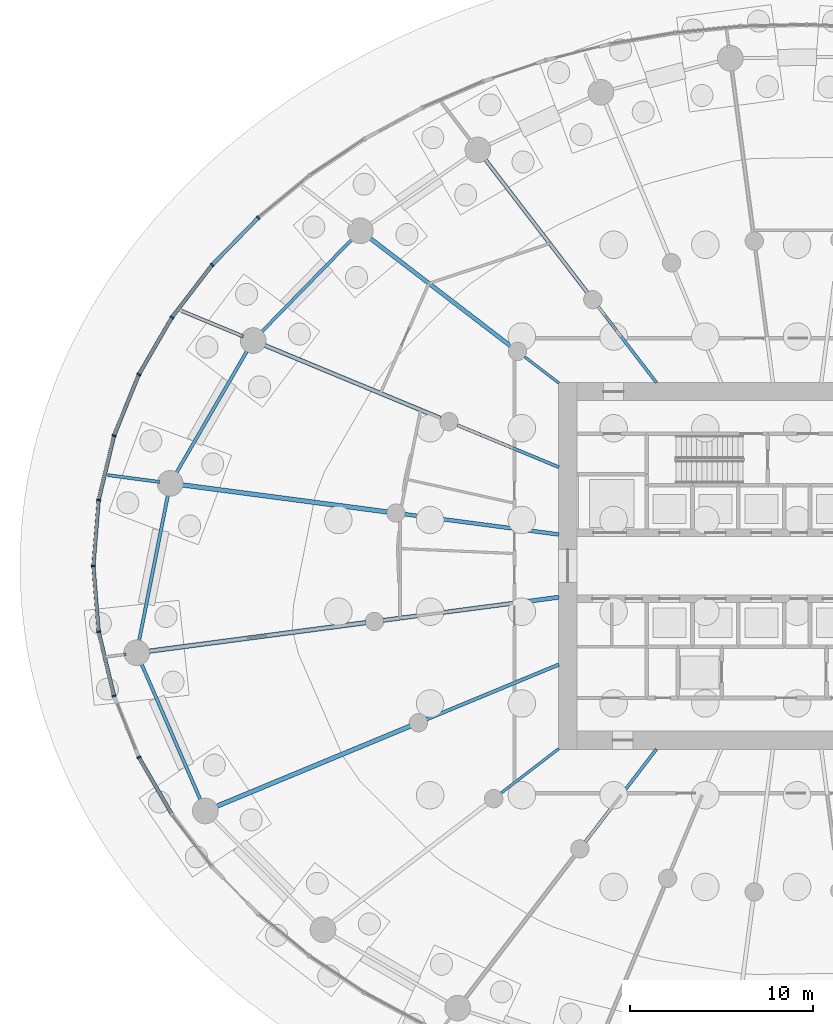
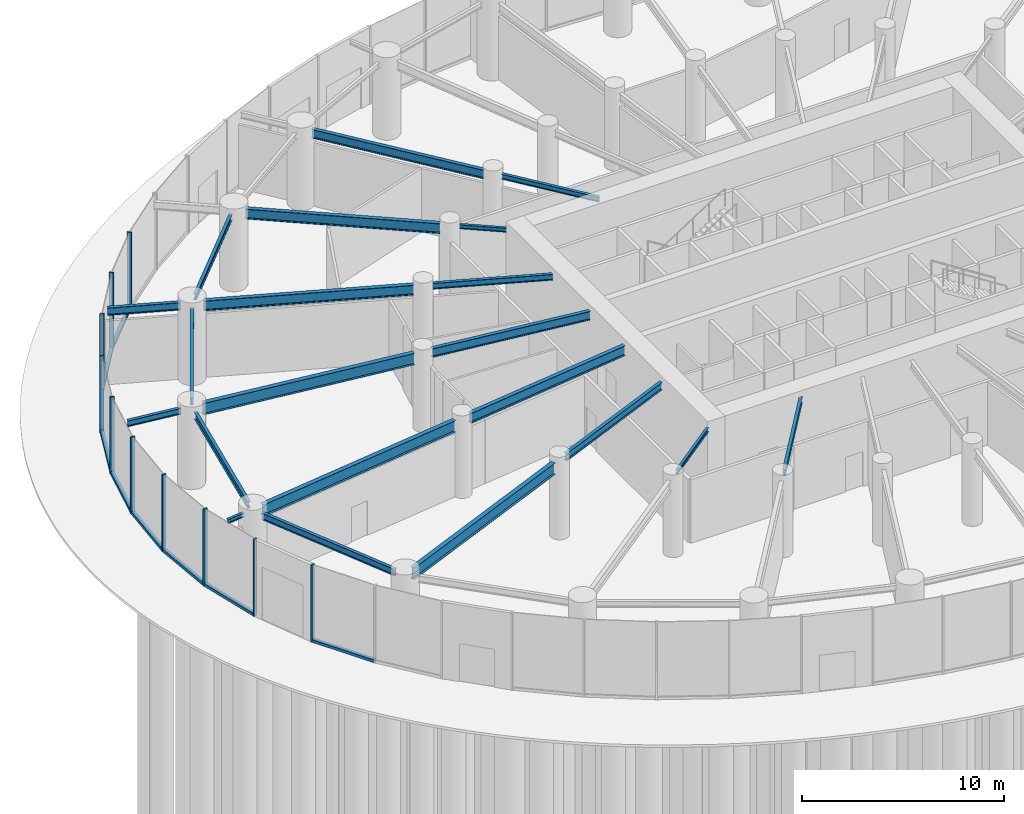
# One storey, part 7 of 28: 21 beams, 19 members, 2 elements without a shape of their own.
"""IFC4 building model written with IfcOpenShell, lengths in metres."""

import ifcopenshell
import ifcopenshell.guid

model = None  # the IFC model being written
_history = None  # IfcOwnerHistory: only IFC2X3 demands one
_inside = {}  # id of a spatial element -> (the spatial element, [elements in it])
_under = {}  # id of a project, library or spatial element -> (it, [spatial elements below it])
_declared = {}  # id of a project -> (the project, [libraries it declares])
_typed = {}  # id of a type object -> (the type object, [elements of that type])
_made_of = {}  # id of a material, layer set ... -> (it, [elements and type objects made of it])


def new_model(schema):
    """Start an empty IFC model of exactly this schema.

    Asked for "IFC4X3", IfcOpenShell would pick the latest addendum, in which some entities
    have other attributes; the version numbers below select the first issue.
    IFC2X3 requires an IfcOwnerHistory on every rooted entity: one is made here for all.
    """
    global model, _history
    if schema == "IFC4X3":
        model = ifcopenshell.file(schema_version=(4, 3, 0, 0))
    else:
        model = ifcopenshell.file(schema=schema)
    _inside.clear()
    _under.clear()
    _declared.clear()
    _typed.clear()
    _made_of.clear()
    _history = None
    if model.schema == "IFC2X3":
        org = make("IfcOrganization", Name="unknown")
        user = make(
            "IfcPersonAndOrganization",
            ThePerson=make("IfcPerson", FamilyName="unknown"),
            TheOrganization=org,
        )
        app = make(
            "IfcApplication",
            ApplicationDeveloper=org,
            Version="unknown",
            ApplicationFullName="unknown",
            ApplicationIdentifier="unknown",
        )
        _history = make(
            "IfcOwnerHistory",
            OwningUser=user,
            OwningApplication=app,
            ChangeAction="ADDED",
            CreationDate=0,
        )
    return model


def make(cls, **values):
    """One entity of the class cls with the attributes given. An attribute that is None is left unset."""
    return model.create_entity(
        cls, **{name: value for name, value in values.items() if value is not None}
    )


def rooted(cls, **values):
    """An entity with a GlobalId (a new one), such as an element, a storey or a relation."""
    return make(cls, GlobalId=ifcopenshell.guid.new(), OwnerHistory=_history, **values)


def si_unit(unit_type, name, prefix=None):
    """IfcSIUnit, for example si_unit("LENGTHUNIT", "METRE", prefix="MILLI")."""
    return make("IfcSIUnit", UnitType=unit_type, Prefix=prefix, Name=name)


def assignment(units):
    """IfcUnitAssignment: the units of a project."""
    return None if units is None else make("IfcUnitAssignment", Units=units)


def point(xyz):
    """IfcCartesianPoint."""
    return None if xyz is None else make("IfcCartesianPoint", Coordinates=xyz)


def direction(xyz):
    """IfcDirection."""
    return None if xyz is None else make("IfcDirection", DirectionRatios=xyz)


def frame(location, z_axis=None, x_axis=None):
    """IfcAxis2Placement3D, a coordinate frame: its origin and axes. An axis left out is left unset."""
    return make(
        "IfcAxis2Placement3D",
        Location=point(location),
        Axis=direction(z_axis),
        RefDirection=direction(x_axis),
    )


def frame_2d(location, x_axis=None):
    """IfcAxis2Placement2D, a coordinate frame in the plane: its origin and x axis."""
    return make(
        "IfcAxis2Placement2D", Location=point(location), RefDirection=direction(x_axis)
    )


def origin():
    """The frame at (0, 0, 0) with its axes left unset."""
    return frame((0.0, 0.0, 0.0))


def origin_2d():
    """The frame at (0, 0) in the plane with its x axis left unset."""
    return frame_2d((0.0, 0.0))


def place(relative_to, where):
    """IfcLocalPlacement: puts the frame where relative to a parent placement (None: the world)."""
    return make(
        "IfcLocalPlacement", PlacementRelTo=relative_to, RelativePlacement=where
    )


def context(
    kind, dimensions, precision=None, world=None, true_north=None, identifier=None
):
    """IfcGeometricRepresentationContext, for example the 3D "Model" context."""
    return make(
        "IfcGeometricRepresentationContext",
        ContextIdentifier=identifier,
        ContextType=kind,
        CoordinateSpaceDimension=dimensions,
        Precision=precision,
        WorldCoordinateSystem=world,
        TrueNorth=true_north,
    )


def subcontext(parent, identifier, kind, view, scale=None):
    """IfcGeometricRepresentationSubContext, for example "Body" below "Model"."""
    return make(
        "IfcGeometricRepresentationSubContext",
        ContextIdentifier=identifier,
        ContextType=kind,
        ParentContext=parent,
        TargetScale=scale,
        TargetView=view,
    )


def project(units=None, contexts=None):
    """IfcProject with its units and contexts."""
    return rooted(
        "IfcProject",
        Name="project",
        RepresentationContexts=contexts,
        UnitsInContext=assignment(units),
    )


def spatial(cls, under=None, at=None, **own):
    """A site, building, storey or space (cls), placed at a placement, below another one or the project."""
    s = rooted(cls, ObjectPlacement=at, **own)
    if under is not None:
        _under.setdefault(under.id(), (under, []))[1].append(s)
    return s


def profile(cls, at=None, kind="AREA", **sizes):
    """A parametric profile (cls). Its sizes go by their IFC names, for example OverallWidth=200.0."""
    return make(cls, ProfileType=kind, Position=at, **sizes)


def rectangle(**sizes):
    """IfcRectangleProfileDef."""
    return profile("IfcRectangleProfileDef", **sizes)


def i_section(**sizes):
    """IfcIShapeProfileDef."""
    return profile("IfcIShapeProfileDef", **sizes)


def extrude(swept, where, along, depth):
    """IfcExtrudedAreaSolid: the profile swept, set in the frame where, extruded along a direction by depth."""
    return make(
        "IfcExtrudedAreaSolid",
        SweptArea=swept,
        Position=where,
        ExtrudedDirection=direction(along),
        Depth=depth,
    )


def shape(context_of_items, identifier, shape_type, items):
    """IfcShapeRepresentation: the items that make up one representation, for example the "Body"."""
    return make(
        "IfcShapeRepresentation",
        ContextOfItems=context_of_items,
        RepresentationIdentifier=identifier,
        RepresentationType=shape_type,
        Items=items,
    )


def source(mapping_origin, context_of_items, identifier, shape_type, items):
    """IfcRepresentationMap: a shape defined once, which mapped items show again and again."""
    return make(
        "IfcRepresentationMap",
        MappingOrigin=mapping_origin,
        MappedRepresentation=shape(context_of_items, identifier, shape_type, items),
    )


def transform(
    local_origin,
    x_axis=None,
    y_axis=None,
    z_axis=None,
    scale=None,
    scale2=None,
    scale3=None,
    uniform=True,
):
    """IfcCartesianTransformationOperator3D, or its non-uniform kind. x_axis, y_axis, z_axis: its Axis1, 2, 3."""
    if uniform:
        return make(
            "IfcCartesianTransformationOperator3D",
            Axis1=direction(x_axis),
            Axis2=direction(y_axis),
            LocalOrigin=point(local_origin),
            Scale=scale,
            Axis3=direction(z_axis),
        )
    return make(
        "IfcCartesianTransformationOperator3DnonUniform",
        Axis1=direction(x_axis),
        Axis2=direction(y_axis),
        LocalOrigin=point(local_origin),
        Scale=scale,
        Axis3=direction(z_axis),
        Scale2=scale2,
        Scale3=scale3,
    )


def mapped(mapping_source, mapping_target):
    """IfcMappedItem: shows the shape of a source again, moved by a transform."""
    return make(
        "IfcMappedItem", MappingSource=mapping_source, MappingTarget=mapping_target
    )


def material(Name=None, Category=None):
    """IfcMaterial."""
    return make("IfcMaterial", Name=Name, Category=Category)


def layer(
    of_material, thickness, ventilated=None, Name=None, Category=None, Priority=None
):
    """IfcMaterialLayer: one layer of a wall or slab, of a material (None: an air gap)."""
    return make(
        "IfcMaterialLayer",
        Material=of_material,
        LayerThickness=thickness,
        IsVentilated=ventilated,
        Name=Name,
        Category=Category,
        Priority=Priority,
    )


def layer_set(layers, Name=None):
    """IfcMaterialLayerSet."""
    return make("IfcMaterialLayerSet", MaterialLayers=layers, LayerSetName=Name)


def material_profile(
    of_material, cross_section, Name=None, Category=None, Priority=None
):
    """IfcMaterialProfile: a cross section and its material."""
    return make(
        "IfcMaterialProfile",
        Name=Name,
        Material=of_material,
        Profile=cross_section,
        Priority=Priority,
        Category=Category,
    )


def profile_set(profiles, Name=None, composite=None):
    """IfcMaterialProfileSet."""
    return make(
        "IfcMaterialProfileSet",
        Name=Name,
        MaterialProfiles=profiles,
        CompositeProfile=composite,
    )


def made_of(thing, what):
    """Note that an element or type object is made of a material, layer set ...; save() writes the relation."""
    if what is not None:
        _made_of.setdefault(what.id(), (what, []))[1].append(thing)
    return thing


def type_object(cls, material=None, **own):
    """A type object (cls), such as IfcWallType, which elements share."""
    return made_of(rooted(cls, **own), material)


def element(
    cls,
    number,
    at=None,
    inside=None,
    cuts=None,
    type_object=None,
    material=None,
    context=None,
    identifier="Body",
    shape_type=None,
    held_by="IfcProductDefinitionShape",
    body=None,
    shapes=None,
    **own,
):
    """One element of the class cls, such as IfcWall. Its Tag is "e" and its number.

    at: its placement. inside: the storey or other place that contains it. cuts: it is an
    opening in that element (IfcRelVoidsElement). A single representation is given by context,
    identifier, shape_type and body (its items); several are given by shapes. held_by: the class
    of the entity that holds the representations. save() writes the other relations.
    """
    e = rooted(cls, Tag="e%d" % number, ObjectPlacement=at, **own)
    if body is not None:
        shapes = [shape(context, identifier, shape_type, body)]
    if shapes is not None:
        e.Representation = make(held_by, Representations=shapes)
    if inside is not None:
        _inside.setdefault(inside.id(), (inside, []))[1].append(e)
    if cuts is not None:
        rooted(
            "IfcRelVoidsElement", RelatingBuildingElement=cuts, RelatedOpeningElement=e
        )
    if type_object is not None:
        _typed.setdefault(type_object.id(), (type_object, []))[1].append(e)
    return made_of(e, material)


def aggregate(whole, parts):
    """IfcRelAggregates: a whole, such as a stair, and the parts it consists of."""
    return rooted("IfcRelAggregates", RelatingObject=whole, RelatedObjects=parts)


def save(model, path):
    """Write the relations noted so far, then the file.

    IfcRelAggregates (storeys below a building ...), IfcRelContainedInSpatialStructure (elements
    in a storey), IfcRelDefinesByType, IfcRelAssociatesMaterial and IfcRelDeclares: one each for
    every whole, place, type object, material and project.
    """
    for whole, parts in _under.values():
        aggregate(whole, parts)
    for where, things in _inside.values():
        rooted(
            "IfcRelContainedInSpatialStructure",
            RelatedElements=things,
            RelatingStructure=where,
        )
    for kind, things in _typed.values():
        rooted("IfcRelDefinesByType", RelatedObjects=things, RelatingType=kind)
    for what, things in _made_of.values():
        rooted("IfcRelAssociatesMaterial", RelatedObjects=things, RelatingMaterial=what)
    for by, libraries in _declared.values():
        rooted("IfcRelDeclares", RelatingContext=by, RelatedDefinitions=libraries)
    model.write(path)


model = new_model("IFC4")

# Units and contexts
model_context = context("Model", 3, precision=1e-05, world=origin(), true_north=direction((0.0, 1.0)))
body_context = subcontext(model_context, "Body", "Model", "MODEL_VIEW")
ifc_project = project(units=[si_unit("LENGTHUNIT", "METRE"), si_unit("AREAUNIT", "SQUARE_METRE"), si_unit("VOLUMEUNIT", "CUBIC_METRE"), si_unit("PLANEANGLEUNIT", "RADIAN"), si_unit("MASSUNIT", "GRAM", prefix="KILO")], contexts=[model_context])

# Site, building, storey
site_placement = place(None, origin())
site = spatial("IfcSite", under=ifc_project, at=site_placement, CompositionType="ELEMENT")
building_placement = place(site_placement, origin())
building = spatial("IfcBuilding", under=site, at=building_placement, Name="Spindrift Exchange Tower", CompositionType="ELEMENT")
storey_placement = place(building_placement, origin())
storey = spatial("IfcBuildingStorey", under=building, at=storey_placement, Name="L00", CompositionType="ELEMENT", Elevation=0.0)

# Beams
ifc_material_1 = material(Name="Steel Grade 300", Category="steel")
ifc_material_profile_1 = material_profile(ifc_material_1, i_section(OverallWidth=0.22802734375, OverallDepth=0.60693359375, WebThickness=0.01123046875, FlangeThickness=0.017333984375, FilletRadius=0.013916015625, at=origin_2d()), Name="610UB113")
ifc_profile_set_1 = profile_set([ifc_material_profile_1], Name="Steel Grade 300")
beam_type_1 = type_object("IfcBeamType", Name="Floor Beam 610UB113 Steel Grade 300", PredefinedType="BEAM", material=ifc_profile_set_1)
shared_shape_1 = source(origin(), body_context, "Body", "SweptSolid", [
    extrude(i_section(OverallWidth=0.22802734375, OverallDepth=0.60693359375, WebThickness=0.01123046875, FlangeThickness=0.017333984375, FilletRadius=0.013916015625, at=origin_2d()), origin(), (0.0, 0.0, 1.0), 9.660400390625),
])
beam_1_placement = place(storey_placement, frame((39.019775390625, 46.291015625, 4.346435546875), z_axis=(-0.99144767089, -0.130504850054, 0.0), x_axis=(0.130504850054, -0.99144767089, 0.0)))
element("IfcBeam", 1, at=beam_1_placement, inside=storey, type_object=beam_type_1, Name="L00 radial beam R13A", PredefinedType="BEAM", context=body_context, shape_type="MappedRepresentation", body=[
    mapped(shared_shape_1, transform((0.0, 0.0, 0.0), scale=1.0)),
])
ifc_material_profile_2 = material_profile(ifc_material_1, i_section(OverallWidth=0.25, OverallDepth=0.699951171875, WebThickness=0.008056640625, FlangeThickness=0.011962890625, at=origin_2d()), Name="700WB115")
ifc_profile_set_2 = profile_set([ifc_material_profile_2], Name="Steel Grade 300")
beam_type_2 = type_object("IfcBeamType", Name="Floor Beam 700WB115 Steel Grade 300", PredefinedType="BEAM", material=ifc_profile_set_2)
shared_shape_2 = source(origin(), body_context, "Body", "SweptSolid", [
    extrude(i_section(OverallWidth=0.25, OverallDepth=0.699951171875, WebThickness=0.008056640625, FlangeThickness=0.011962890625, at=origin_2d()), origin(), (0.0, 0.0, 1.0), 12.00830078125),
])
beam_2_placement = place(storey_placement, frame((28.490234375, 44.90478515625, 4.300048828125), z_axis=(-0.991444950947, -0.130525511844, 0.0), x_axis=(0.130525511844, -0.991444950947, 0.0)))
element("IfcBeam", 2, at=beam_2_placement, inside=storey, type_object=beam_type_2, Name="L00 radial beam R13B", PredefinedType="BEAM", context=body_context, shape_type="MappedRepresentation", body=[
    mapped(shared_shape_2, transform((0.0, 0.0, 0.0), scale=1.0)),
])
ifc_material_profile_3 = material_profile(ifc_material_1, i_section(OverallWidth=0.18994140625, OverallDepth=0.45703125, WebThickness=0.009033203125, FlangeThickness=0.014404296875, FilletRadius=0.013916015625, at=origin_2d()), Name="460UB74.6")
ifc_profile_set_3 = profile_set([ifc_material_profile_3], Name="Steel Grade 300")
beam_type_3 = type_object("IfcBeamType", Name="Floor Beam 460UB74.6 Steel Grade 300", PredefinedType="BEAM", material=ifc_profile_set_3)
shared_shape_3 = source(origin(), body_context, "Body", "SweptSolid", [
    extrude(i_section(OverallWidth=0.18994140625, OverallDepth=0.45703125, WebThickness=0.009033203125, FlangeThickness=0.014404296875, FilletRadius=0.013916015625, at=origin_2d()), origin(), (0.0, 0.0, 1.0), 7.808837890625),
])
beam_3_placement = place(storey_placement, frame((39.0185546875, 42.622802734375, 4.42138671875), z_axis=(-0.92387965154, -0.382683145003, 0.0), x_axis=(0.382683145003, -0.92387965154, 0.0)))
element("IfcBeam", 3, at=beam_3_placement, inside=storey, type_object=beam_type_3, Name="L00 radial beam R14A", PredefinedType="BEAM", context=body_context, shape_type="MappedRepresentation", body=[
    mapped(shared_shape_3, transform((0.0, 0.0, 0.0), scale=1.0)),
])
shared_shape_4 = source(origin(), body_context, "Body", "SweptSolid", [
    extrude(i_section(OverallWidth=0.25, OverallDepth=0.699951171875, WebThickness=0.008056640625, FlangeThickness=0.011962890625, at=origin_2d()), origin(), (0.0, 0.0, 1.0), 11.505859375),
])
beam_4_placement = place(storey_placement, frame((30.917236328125, 39.26708984375, 4.300048828125), z_axis=(-0.923881578419, -0.38267849307, 0.0), x_axis=(0.38267849307, -0.923881578419, 0.0)))
element("IfcBeam", 4, at=beam_4_placement, inside=storey, type_object=beam_type_2, Name="L00 radial beam R14B", PredefinedType="BEAM", context=body_context, shape_type="MappedRepresentation", body=[
    mapped(shared_shape_4, transform((0.0, 0.0, 0.0), scale=1.0)),
])
ifc_material_profile_4 = material_profile(ifc_material_1, i_section(OverallWidth=0.14599609375, OverallDepth=0.251953125, WebThickness=0.006103515625, FlangeThickness=0.008544921875, FilletRadius=0.011962890625, at=origin_2d()), Name="250UB31.4")
ifc_profile_set_4 = profile_set([ifc_material_profile_4], Name="Steel Grade 300")
beam_type_4 = type_object("IfcBeamType", Name="Floor Beam 250UB31.4 Steel Grade 300", PredefinedType="BEAM", material=ifc_profile_set_4)
shared_shape_5 = source(origin(), body_context, "Body", "SweptSolid", [
    extrude(i_section(OverallWidth=0.14599609375, OverallDepth=0.251953125, WebThickness=0.006103515625, FlangeThickness=0.008544921875, FilletRadius=0.011962890625, at=origin_2d()), origin(), (0.0, 0.0, 1.0), 3.99560546875),
])
beam_5_placement = place(storey_placement, frame((39.015869140625, 38.036865234375, 4.52392578125), z_axis=(-0.793352561574, -0.608762443851, 0.0), x_axis=(0.608762443851, -0.793352561574, 0.0)))
element("IfcBeam", 5, at=beam_5_placement, inside=storey, type_object=beam_type_4, Name="L00 radial beam R15A", PredefinedType="BEAM", context=body_context, shape_type="MappedRepresentation", body=[
    mapped(shared_shape_5, transform((0.0, 0.0, 0.0), scale=1.0)),
])
ifc_material_profile_5 = material_profile(ifc_material_1, i_section(OverallWidth=0.172119140625, OverallDepth=0.35888671875, WebThickness=0.008056640625, FlangeThickness=0.012939453125, FilletRadius=0.013916015625, at=origin_2d()), Name="360UB56.7")
ifc_profile_set_5 = profile_set([ifc_material_profile_5], Name="Steel Grade 300")
beam_type_5 = type_object("IfcBeamType", Name="Floor Beam 360UB56.7 Steel Grade 300", PredefinedType="BEAM", material=ifc_profile_set_5)
shared_shape_6 = source(origin(), body_context, "Body", "SweptSolid", [
    extrude(i_section(OverallWidth=0.172119140625, OverallDepth=0.35888671875, WebThickness=0.008056640625, FlangeThickness=0.012939453125, FilletRadius=0.013916015625, at=origin_2d()), origin(), (0.0, 0.0, 1.0), 6.37646484375),
])
beam_6_placement = place(storey_placement, frame((44.3388671875, 38.015869140625, 4.470458984375), z_axis=(-0.608766669952, -0.793349318747, 0.0), x_axis=(0.793349318747, -0.608766669952, 0.0)))
element("IfcBeam", 6, at=beam_6_placement, inside=storey, type_object=beam_type_5, Name="L00 radial beam R16A", PredefinedType="BEAM", context=body_context, shape_type="MappedRepresentation", body=[
    mapped(shared_shape_6, transform((0.0, 0.0, 0.0), scale=1.0)),
])
ifc_material_profile_6 = material_profile(ifc_material_1, i_section(OverallWidth=0.1650390625, OverallDepth=0.303955078125, WebThickness=0.006103515625, FlangeThickness=0.01025390625, FilletRadius=0.011474609375, at=origin_2d()), Name="310UB40.4")
ifc_profile_set_6 = profile_set([ifc_material_profile_6], Name="Steel Grade 300")
beam_type_6 = type_object("IfcBeamType", Name="Floor Beam 310UB40.4 Steel Grade 300", PredefinedType="BEAM", material=ifc_profile_set_6)
shared_shape_7 = source(origin(), body_context, "Body", "SweptSolid", [
    extrude(i_section(OverallWidth=0.1650390625, OverallDepth=0.303955078125, WebThickness=0.006103515625, FlangeThickness=0.01025390625, FilletRadius=0.011474609375, at=origin_2d()), origin(), (0.0, 0.0, 1.0), 5.224609375),
])
beam_7_placement = place(storey_placement, frame((44.3388671875, 57.984130859375, 4.498046875), z_axis=(-0.608741499316, 0.793368632485, 0.0), x_axis=(-0.793368632485, -0.608741499316, 0.0)))
element("IfcBeam", 7, at=beam_7_placement, inside=storey, type_object=beam_type_6, Name="L00 radial beam R09A", PredefinedType="BEAM", context=body_context, shape_type="MappedRepresentation", body=[
    mapped(shared_shape_7, transform((0.0, 0.0, 0.0), scale=1.0)),
])
ifc_material_profile_7 = material_profile(ifc_material_1, i_section(OverallWidth=0.208984375, OverallDepth=0.532958984375, WebThickness=0.01025390625, FlangeThickness=0.015625, FilletRadius=0.013916015625, at=origin_2d()), Name="530UB92.4")
ifc_profile_set_7 = profile_set([ifc_material_profile_7], Name="Steel Grade 300")
beam_type_7 = type_object("IfcBeamType", Name="Floor Beam 530UB92.4 Steel Grade 300", PredefinedType="BEAM", material=ifc_profile_set_7)
shared_shape_8 = source(origin(), body_context, "Body", "SweptSolid", [
    extrude(i_section(OverallWidth=0.208984375, OverallDepth=0.532958984375, WebThickness=0.01025390625, FlangeThickness=0.015625, FilletRadius=0.013916015625, at=origin_2d()), origin(), (0.0, 0.0, 1.0), 9.227783203125),
])
beam_8_placement = place(storey_placement, frame((40.573974609375, 62.890625, 4.383544921875), z_axis=(-0.608747534474, 0.79336400175, 0.0), x_axis=(-0.79336400175, -0.608747534474, 0.0)))
element("IfcBeam", 8, at=beam_8_placement, inside=storey, type_object=beam_type_7, Name="L00 radial beam R09B", PredefinedType="BEAM", context=body_context, shape_type="MappedRepresentation", body=[
    mapped(shared_shape_8, transform((0.0, 0.0, 0.0), scale=1.0)),
])
shared_shape_9 = source(origin(), body_context, "Body", "SweptSolid", [
    extrude(i_section(OverallWidth=0.14599609375, OverallDepth=0.251953125, WebThickness=0.006103515625, FlangeThickness=0.008544921875, FilletRadius=0.011962890625, at=origin_2d()), origin(), (0.0, 0.0, 1.0), 2.353759765625),
])
beam_9_placement = place(storey_placement, frame((39.015869140625, 57.963134765625, 4.52392578125), z_axis=(-0.793367573265, 0.608742879787, 0.0), x_axis=(-0.608742879787, -0.793367573265, 0.0)))
element("IfcBeam", 9, at=beam_9_placement, inside=storey, type_object=beam_type_4, Name="L00 radial beam R10A", PredefinedType="BEAM", context=body_context, shape_type="MappedRepresentation", body=[
    mapped(shared_shape_9, transform((0.0, 0.0, 0.0), scale=1.0)),
])
shared_shape_10 = source(origin(), body_context, "Body", "SweptSolid", [
    extrude(i_section(OverallWidth=0.22802734375, OverallDepth=0.60693359375, WebThickness=0.01123046875, FlangeThickness=0.017333984375, FilletRadius=0.013916015625, at=origin_2d()), origin(), (0.0, 0.0, 1.0), 9.73974609375),
])
beam_10_placement = place(storey_placement, frame((36.38671875, 59.98046875, 4.346435546875), z_axis=(-0.793352119621, 0.608763019814, 0.0), x_axis=(-0.608763019814, -0.793352119621, 0.0)))
element("IfcBeam", 10, at=beam_10_placement, inside=storey, type_object=beam_type_1, Name="L00 radial beam R10B", PredefinedType="BEAM", context=body_context, shape_type="MappedRepresentation", body=[
    mapped(shared_shape_10, transform((0.0, 0.0, 0.0), scale=1.0)),
])
shared_shape_11 = source(origin(), body_context, "Body", "SweptSolid", [
    extrude(i_section(OverallWidth=0.172119140625, OverallDepth=0.35888671875, WebThickness=0.008056640625, FlangeThickness=0.012939453125, FilletRadius=0.013916015625, at=origin_2d()), origin(), (0.0, 0.0, 1.0), 6.004638671875),
])
beam_11_placement = place(storey_placement, frame((39.0185546875, 53.377197265625, 4.470458984375), z_axis=(-0.923882044911, 0.38267736684, 0.0), x_axis=(-0.38267736684, -0.923882044911, 0.0)))
element("IfcBeam", 11, at=beam_11_placement, inside=storey, type_object=beam_type_5, Name="L00 radial beam R11A", PredefinedType="BEAM", context=body_context, shape_type="MappedRepresentation", body=[
    mapped(shared_shape_11, transform((0.0, 0.0, 0.0), scale=1.0)),
])
shared_shape_12 = source(origin(), body_context, "Body", "SweptSolid", [
    extrude(i_section(OverallWidth=0.22802734375, OverallDepth=0.60693359375, WebThickness=0.01123046875, FlangeThickness=0.017333984375, FilletRadius=0.013916015625, at=origin_2d()), origin(), (0.0, 0.0, 1.0), 10.4912109375),
])
beam_12_placement = place(storey_placement, frame((32.583984375, 56.04248046875, 4.346435546875), z_axis=(-0.923885231151, 0.382669674342, 0.0), x_axis=(-0.382669674342, -0.923885231151, 0.0)))
element("IfcBeam", 12, at=beam_12_placement, inside=storey, type_object=beam_type_1, Name="L00 radial beam R11B", PredefinedType="BEAM", context=body_context, shape_type="MappedRepresentation", body=[
    mapped(shared_shape_12, transform((0.0, 0.0, 0.0), scale=1.0)),
])
ifc_material_profile_8 = material_profile(ifc_material_1, i_section(OverallWidth=0.18994140625, OverallDepth=0.45703125, WebThickness=0.009033203125, FlangeThickness=0.014404296875, FilletRadius=0.013916015625, at=origin_2d()), Name="460UB74.6")
ifc_profile_set_8 = profile_set([ifc_material_profile_8], Name="Steel Grade 300")
beam_type_8 = type_object("IfcBeamType", Name="Cantilever Beam 460UB74.6 Steel Grade 300", PredefinedType="BEAM", material=ifc_profile_set_8)
shared_shape_13 = source(origin(), body_context, "Body", "SweptSolid", [
    extrude(i_section(OverallWidth=0.18994140625, OverallDepth=0.45703125, WebThickness=0.009033203125, FlangeThickness=0.014404296875, FilletRadius=0.013916015625, at=origin_2d()), origin(), (0.0, 0.0, 1.0), 3.6494140625),
])
beam_13_placement = place(storey_placement, frame((21.819580078125, 60.501220703125, 4.42138671875), z_axis=(-0.923886374991, 0.382666912741, 0.0), x_axis=(-0.382666912741, -0.923886374991, 0.0)))
element("IfcBeam", 13, at=beam_13_placement, inside=storey, type_object=beam_type_8, Name="L00 cantilever beam R11T", PredefinedType="BEAM", context=body_context, shape_type="MappedRepresentation", body=[
    mapped(shared_shape_13, transform((0.0, 0.0, 0.0), scale=1.0)),
])
shared_shape_14 = source(origin(), body_context, "Body", "SweptSolid", [
    extrude(i_section(OverallWidth=0.208984375, OverallDepth=0.532958984375, WebThickness=0.01025390625, FlangeThickness=0.015625, FilletRadius=0.013916015625, at=origin_2d()), origin(), (0.0, 0.0, 1.0), 8.4794921875),
])
beam_14_placement = place(storey_placement, frame((39.019775390625, 49.708984375, 4.383544921875), z_axis=(-0.991446551951, 0.13051335037, 0.0), x_axis=(-0.13051335037, -0.991446551951, 0.0)))
element("IfcBeam", 14, at=beam_14_placement, inside=storey, type_object=beam_type_7, Name="L00 radial beam R12A", PredefinedType="BEAM", context=body_context, shape_type="MappedRepresentation", body=[
    mapped(shared_shape_14, transform((0.0, 0.0, 0.0), scale=1.0)),
])
shared_shape_15 = source(origin(), body_context, "Body", "SweptSolid", [
    extrude(i_section(OverallWidth=0.25, OverallDepth=0.699951171875, WebThickness=0.008056640625, FlangeThickness=0.011962890625, at=origin_2d()), origin(), (0.0, 0.0, 1.0), 11.34423828125),
])
beam_15_placement = place(storey_placement, frame((29.660888671875, 50.94091796875, 4.300048828125), z_axis=(-0.991444770187, 0.130526884848, 0.0), x_axis=(-0.130526884848, -0.991444770187, 0.0)))
element("IfcBeam", 15, at=beam_15_placement, inside=storey, type_object=beam_type_2, Name="L00 radial beam R12B", PredefinedType="BEAM", context=body_context, shape_type="MappedRepresentation", body=[
    mapped(shared_shape_15, transform((0.0, 0.0, 0.0), scale=1.0)),
])
ifc_material_profile_9 = material_profile(ifc_material_1, i_section(OverallWidth=0.172119140625, OverallDepth=0.35888671875, WebThickness=0.008056640625, FlangeThickness=0.012939453125, FilletRadius=0.013916015625, at=origin_2d()), Name="360UB56.7")
ifc_profile_set_9 = profile_set([ifc_material_profile_9], Name="Steel Grade 300")
beam_type_9 = type_object("IfcBeamType", Name="Cantilever Beam 360UB56.7 Steel Grade 300", PredefinedType="BEAM", material=ifc_profile_set_9)
shared_shape_16 = source(origin(), body_context, "Body", "SweptSolid", [
    extrude(i_section(OverallWidth=0.172119140625, OverallDepth=0.35888671875, WebThickness=0.008056640625, FlangeThickness=0.012939453125, FilletRadius=0.013916015625, at=origin_2d()), origin(), (0.0, 0.0, 1.0), 2.8583984375),
])
beam_16_placement = place(storey_placement, frame((17.263916015625, 52.572998046875, 4.470458984375), z_axis=(-0.991436262241, 0.130591492502, 0.0), x_axis=(-0.130591492502, -0.991436262241, 0.0)))
element("IfcBeam", 16, at=beam_16_placement, inside=storey, type_object=beam_type_9, Name="L00 cantilever beam R12T", PredefinedType="BEAM", context=body_context, shape_type="MappedRepresentation", body=[
    mapped(shared_shape_16, transform((0.0, 0.0, 0.0), scale=1.0)),
])
ifc_material_profile_10 = material_profile(ifc_material_1, i_section(OverallWidth=0.14599609375, OverallDepth=0.251953125, WebThickness=0.006103515625, FlangeThickness=0.008544921875, FilletRadius=0.011962890625, at=origin_2d()), Name="250UB31.4")
ifc_profile_set_10 = profile_set([ifc_material_profile_10], Name="Steel Grade 300")
beam_type_10 = type_object("IfcBeamType", Name="Cantilever Beam 250UB31.4 Steel Grade 300", PredefinedType="BEAM", material=ifc_profile_set_10)
shared_shape_17 = source(origin(), body_context, "Body", "SweptSolid", [
    extrude(i_section(OverallWidth=0.14599609375, OverallDepth=0.251953125, WebThickness=0.006103515625, FlangeThickness=0.008544921875, FilletRadius=0.011962890625, at=origin_2d()), origin(), (0.0, 0.0, 1.0), 1.013427734375),
])
beam_17_placement = place(storey_placement, frame((15.4345703125, 43.18603515625, 4.52392578125), z_axis=(-0.991437065727, -0.130585392375, 0.0), x_axis=(0.130585392375, -0.991437065727, 0.0)))
element("IfcBeam", 17, at=beam_17_placement, inside=storey, type_object=beam_type_10, Name="L00 cantilever beam R13T", PredefinedType="BEAM", context=body_context, shape_type="MappedRepresentation", body=[
    mapped(shared_shape_17, transform((0.0, 0.0, 0.0), scale=1.0)),
])
ifc_material_profile_11 = material_profile(ifc_material_1, i_section(OverallWidth=0.177978515625, OverallDepth=0.406005859375, WebThickness=0.0078125, FlangeThickness=0.0126953125, FilletRadius=0.013916015625, at=origin_2d()), Name="410UB59.7")
ifc_profile_set_11 = profile_set([ifc_material_profile_11], Name="Steel Grade 300")
beam_type_11 = type_object("IfcBeamType", Name="Edge Beam 410UB59.7 Steel Grade 300", PredefinedType="SPANDREL", material=ifc_profile_set_11)
shared_shape_18 = source(origin(), body_context, "Body", "SweptSolid", [
    extrude(i_section(OverallWidth=0.177978515625, OverallDepth=0.406005859375, WebThickness=0.0078125, FlangeThickness=0.0126953125, FilletRadius=0.013916015625, at=origin_2d()), origin(), (0.0, 0.0, 1.0), 8.23681640625),
])
beam_18_placement = place(storey_placement, frame((16.240478515625, 42.729736328125, 4.447021484375), z_axis=(0.398186298756, -0.91730456855, 0.0), x_axis=(0.91730456855, 0.398186298756, 0.0)))
element("IfcBeam", 18, at=beam_18_placement, inside=storey, type_object=beam_type_11, Name="L00 edge beam E13", PredefinedType="SPANDREL", context=body_context, shape_type="MappedRepresentation", body=[
    mapped(shared_shape_18, transform((0.0, 0.0, 0.0), scale=1.0)),
])
ifc_material_profile_12 = material_profile(ifc_material_1, i_section(OverallWidth=0.172119140625, OverallDepth=0.35888671875, WebThickness=0.008056640625, FlangeThickness=0.012939453125, FilletRadius=0.013916015625, at=origin_2d()), Name="360UB56.7")
ifc_profile_set_12 = profile_set([ifc_material_profile_12], Name="Steel Grade 300")
beam_type_12 = type_object("IfcBeamType", Name="Edge Beam 360UB56.7 Steel Grade 300", PredefinedType="SPANDREL", material=ifc_profile_set_12)
shared_shape_19 = source(origin(), body_context, "Body", "SweptSolid", [
    extrude(i_section(OverallWidth=0.172119140625, OverallDepth=0.35888671875, WebThickness=0.008056640625, FlangeThickness=0.012939453125, FilletRadius=0.013916015625, at=origin_2d()), origin(), (0.0, 0.0, 1.0), 7.2041015625),
])
beam_19_placement = place(storey_placement, frame((27.794189453125, 65.847900390625, 4.470458984375), z_axis=(-0.698703626006, -0.715411240481, 0.0), x_axis=(0.715411240481, -0.698703626006, 0.0)))
element("IfcBeam", 19, at=beam_19_placement, inside=storey, type_object=beam_type_12, Name="L00 edge beam E10", PredefinedType="SPANDREL", context=body_context, shape_type="MappedRepresentation", body=[
    mapped(shared_shape_19, transform((0.0, 0.0, 0.0), scale=1.0)),
])
shared_shape_20 = source(origin(), body_context, "Body", "SweptSolid", [
    extrude(i_section(OverallWidth=0.177978515625, OverallDepth=0.406005859375, WebThickness=0.0078125, FlangeThickness=0.0126953125, FilletRadius=0.013916015625, at=origin_2d()), origin(), (0.0, 0.0, 1.0), 7.837646484375),
])
beam_20_placement = place(storey_placement, frame((22.064208984375, 59.777587890625, 4.447021484375), z_axis=(-0.50198145655, -0.864878382942, 0.0), x_axis=(0.864878382942, -0.50198145655, 0.0)))
element("IfcBeam", 20, at=beam_20_placement, inside=storey, type_object=beam_type_11, Name="L00 edge beam E11", PredefinedType="SPANDREL", context=body_context, shape_type="MappedRepresentation", body=[
    mapped(shared_shape_20, transform((0.0, 0.0, 0.0), scale=1.0)),
])
shared_shape_21 = source(origin(), body_context, "Body", "SweptSolid", [
    extrude(i_section(OverallWidth=0.177978515625, OverallDepth=0.406005859375, WebThickness=0.0078125, FlangeThickness=0.0126953125, FilletRadius=0.013916015625, at=origin_2d()), origin(), (0.0, 0.0, 1.0), 8.2548828125),
])
beam_21_placement = place(storey_placement, frame((17.72607421875, 51.928466796875, 4.447021484375), z_axis=(-0.194278723288, -0.9809463684, 0.0), x_axis=(0.9809463684, -0.194278723288, 0.0)))
element("IfcBeam", 21, at=beam_21_placement, inside=storey, type_object=beam_type_11, Name="L00 edge beam E12", PredefinedType="SPANDREL", context=body_context, shape_type="MappedRepresentation", body=[
    mapped(shared_shape_21, transform((0.0, 0.0, 0.0), scale=1.0)),
])

# Curtain wall, members
ifc_material_2 = material(Name="Fritted laminated glass with bronze frame", Category="glass")
ifc_layer = layer(ifc_material_2, 0.219970703125)
ifc_layer_set = layer_set([ifc_layer], Name="PODIUM BRONZE GLAZED WALL")
curtain_wall_type = type_object("IfcCurtainWallType", Name="PODIUM BRONZE GLAZED WALL", PredefinedType="NOTDEFINED", material=ifc_layer_set)
curtain_wall_1_placement = place(storey_placement, origin())
curtain_wall_1 = element("IfcCurtainWall", 22, at=curtain_wall_1_placement, inside=storey, type_object=curtain_wall_type, Name="L00 Podium Bronze Glazed Wall run 6", PredefinedType="NOTDEFINED")
ifc_material_3 = material(Name="Bronze anodised aluminium", Category="aluminium")
ifc_material_profile_13 = material_profile(ifc_material_3, rectangle(XDim=0.090087890625, YDim=0.219970703125, at=origin_2d()), Name="PODIUM BRONZE GLAZED WALL MULLION 90X220")
ifc_profile_set_13 = profile_set([ifc_material_profile_13], Name="Bronze anodised aluminium")
member_type_1 = type_object("IfcMemberType", Name="PODIUM BRONZE GLAZED WALL MULLION 90X220", PredefinedType="MULLION", material=ifc_profile_set_13)
shared_shape_22 = source(origin(), body_context, "Body", "SweptSolid", [
    extrude(rectangle(XDim=0.090087890625, YDim=0.219970703125, at=origin_2d()), origin(), (0.0, 0.0, 1.0), 4.64990234375),
])
member_1_placement = place(storey_placement, frame((22.63916015625, 66.976806640625, 0.0), z_axis=(0.0, 0.0, 1.0), x_axis=(-0.73653093429, -0.676403860748, 0.0)))
member_1 = element("IfcMember", 23, at=member_1_placement, type_object=member_type_1, Name="L00 mullion CW-P.33", PredefinedType="MULLION", context=body_context, shape_type="MappedRepresentation", body=[
    mapped(shared_shape_22, transform((0.0, 0.0, 0.0), scale=1.0)),
])
member_2_placement = place(storey_placement, frame((20.12353515625, 64.3994140625, 0.0), z_axis=(0.0, 0.0, 1.0), x_axis=(-0.654722892867, -0.755868992324, 0.0)))
member_2 = element("IfcMember", 24, at=member_2_placement, type_object=member_type_1, Name="L00 mullion CW-P.34", PredefinedType="MULLION", context=body_context, shape_type="MappedRepresentation", body=[
    mapped(shared_shape_22, transform((0.0, 0.0, 0.0), scale=1.0)),
])
member_3_placement = place(storey_placement, frame((17.931640625, 61.5419921875, 0.0), z_axis=(0.0, 0.0, 1.0), x_axis=(-0.556122833519, -0.83110011072, 0.0)))
member_3 = element("IfcMember", 25, at=member_3_placement, type_object=member_type_1, Name="L00 mullion CW-P.35", PredefinedType="MULLION", context=body_context, shape_type="MappedRepresentation", body=[
    mapped(shared_shape_22, transform((0.0, 0.0, 0.0), scale=1.0)),
])
member_4_placement = place(storey_placement, frame((16.126708984375, 58.42626953125, 0.0), z_axis=(0.0, 0.0, 1.0), x_axis=(-0.439356938783, -0.898312573854, 0.0)))
member_4 = element("IfcMember", 26, at=member_4_placement, type_object=member_type_1, Name="L00 mullion CW-P.36", PredefinedType="MULLION", context=body_context, shape_type="MappedRepresentation", body=[
    mapped(shared_shape_22, transform((0.0, 0.0, 0.0), scale=1.0)),
])

curtain_wall_2_placement = place(storey_placement, origin())
curtain_wall_2 = element("IfcCurtainWall", 27, at=curtain_wall_2_placement, inside=storey, type_object=curtain_wall_type, Name="L00 Podium Bronze Glazed Wall run 7", PredefinedType="NOTDEFINED")
member_5_placement = place(storey_placement, frame((14.775390625, 55.089111328125, 0.0), z_axis=(0.0, 0.0, 1.0), x_axis=(-0.304953844058, -0.952367131412, 0.0)))
member_5 = element("IfcMember", 28, at=member_5_placement, type_object=member_type_1, Name="L00 mullion CW-P.37", PredefinedType="MULLION", context=body_context, shape_type="MappedRepresentation", body=[
    mapped(shared_shape_22, transform((0.0, 0.0, 0.0), scale=1.0)),
])
member_6_placement = place(storey_placement, frame((13.93701171875, 51.58837890625, 0.0), z_axis=(0.0, 0.0, 1.0), x_axis=(-0.156797498884, -0.987630773287, 0.0)))
member_6 = element("IfcMember", 29, at=member_6_placement, type_object=member_type_1, Name="L00 mullion CW-P.38", PredefinedType="MULLION", context=body_context, shape_type="MappedRepresentation", body=[
    mapped(shared_shape_22, transform((0.0, 0.0, 0.0), scale=1.0)),
])
member_7_placement = place(storey_placement, frame((13.64990234375, 48.0, 0.0), z_axis=(0.0, 0.0, 1.0), x_axis=(0.0, -1.0, 0.0)))
member_7 = element("IfcMember", 30, at=member_7_placement, type_object=member_type_1, Name="L00 mullion CW-P.39", PredefinedType="MULLION", context=body_context, shape_type="MappedRepresentation", body=[
    mapped(shared_shape_22, transform((0.0, 0.0, 0.0), scale=1.0)),
])
member_8_placement = place(storey_placement, frame((13.93701171875, 44.41162109375, 0.0), z_axis=(0.0, 0.0, 1.0), x_axis=(0.156797498884, -0.987630773287, 0.0)))
member_8 = element("IfcMember", 31, at=member_8_placement, type_object=member_type_1, Name="L00 mullion CW-P.40", PredefinedType="MULLION", context=body_context, shape_type="MappedRepresentation", body=[
    mapped(shared_shape_22, transform((0.0, 0.0, 0.0), scale=1.0)),
])
member_9_placement = place(storey_placement, frame((14.775390625, 40.910888671875, 0.0), z_axis=(0.0, 0.0, 1.0), x_axis=(0.304953844058, -0.952367131412, 0.0)))
member_9 = element("IfcMember", 32, at=member_9_placement, type_object=member_type_1, Name="L00 mullion CW-P.41", PredefinedType="MULLION", context=body_context, shape_type="MappedRepresentation", body=[
    mapped(shared_shape_22, transform((0.0, 0.0, 0.0), scale=1.0)),
])
member_10_placement = place(storey_placement, frame((16.126708984375, 37.57373046875, 0.0), z_axis=(0.0, 0.0, 1.0), x_axis=(0.439356938783, -0.898312573854, 0.0)))
member_10 = element("IfcMember", 33, at=member_10_placement, type_object=member_type_1, Name="L00 mullion CW-P.42", PredefinedType="MULLION", context=body_context, shape_type="MappedRepresentation", body=[
    mapped(shared_shape_22, transform((0.0, 0.0, 0.0), scale=1.0)),
])

# Member
ifc_material_profile_14 = material_profile(ifc_material_3, rectangle(XDim=0.199951171875, YDim=0.159912109375, at=origin_2d()), Name="PODIUM BRONZE GLAZED WALL TRANSOM 200X160")
ifc_profile_set_14 = profile_set([ifc_material_profile_14], Name="Bronze anodised aluminium")
member_type_2 = type_object("IfcMemberType", Name="PODIUM BRONZE GLAZED WALL TRANSOM 200X160", PredefinedType="USERDEFINED", material=ifc_profile_set_14)
shared_shape_23 = source(origin(), body_context, "Body", "SweptSolid", [
    extrude(rectangle(XDim=0.199951171875, YDim=0.159912109375, at=origin_2d()), origin(), (0.0, 0.0, 1.0), 3.51025390625),
])
member_11_placement = place(storey_placement, frame((16.10986328125, 58.384521484375, 0.080078125), z_axis=(-0.37529662437, -0.926904765192, 0.0), x_axis=(0.926904765192, -0.37529662437, 0.0)))
member_11 = element("IfcMember", 34, at=member_11_placement, type_object=member_type_2, Name="L00 transom CW-P.36", ObjectType="TRANSOM", PredefinedType="USERDEFINED", context=body_context, shape_type="MappedRepresentation", body=[
    mapped(shared_shape_23, transform((0.0, 0.0, 0.0), scale=1.0)),
])

shared_shape_24 = source(origin(), body_context, "Body", "SweptSolid", [
    extrude(rectangle(XDim=0.199951171875, YDim=0.159912109375, at=origin_2d()), origin(), (0.0, 0.0, 1.0), 3.51171875),
])
member_12_placement = place(storey_placement, frame((22.607666015625, 66.944580078125, 0.080078125), z_axis=(-0.698433310084, -0.715675143739, 0.0), x_axis=(0.715675143739, -0.698433310084, 0.0)))
member_12 = element("IfcMember", 35, at=member_12_placement, type_object=member_type_2, Name="L00 transom CW-P.33", ObjectType="TRANSOM", PredefinedType="USERDEFINED", context=body_context, shape_type="MappedRepresentation", body=[
    mapped(shared_shape_24, transform((0.0, 0.0, 0.0), scale=1.0)),
])

shared_shape_25 = source(origin(), body_context, "Body", "SweptSolid", [
    extrude(rectangle(XDim=0.199951171875, YDim=0.159912109375, at=origin_2d()), origin(), (0.0, 0.0, 1.0), 3.510986328125),
])
member_13_placement = place(storey_placement, frame((20.09619140625, 64.363525390625, 0.080078125), z_axis=(-0.608708867702, -0.793393669234, 0.0), x_axis=(0.793393669234, -0.608708867702, 0.0)))
member_13 = element("IfcMember", 36, at=member_13_placement, type_object=member_type_2, Name="L00 transom CW-P.34", ObjectType="TRANSOM", PredefinedType="USERDEFINED", context=body_context, shape_type="MappedRepresentation", body=[
    mapped(shared_shape_25, transform((0.0, 0.0, 0.0), scale=1.0)),
])

shared_shape_26 = source(origin(), body_context, "Body", "SweptSolid", [
    extrude(rectangle(XDim=0.199951171875, YDim=0.159912109375, at=origin_2d()), origin(), (0.0, 0.0, 1.0), 3.5107421875),
])
member_14_placement = place(storey_placement, frame((17.908935546875, 61.503173828125, 0.080078125), z_axis=(-0.501252813587, -0.865300882278, 0.0), x_axis=(0.865300882278, -0.501252813587, 0.0)))
member_14 = element("IfcMember", 37, at=member_14_placement, type_object=member_type_2, Name="L00 transom CW-P.35", ObjectType="TRANSOM", PredefinedType="USERDEFINED", context=body_context, shape_type="MappedRepresentation", body=[
    mapped(shared_shape_26, transform((0.0, 0.0, 0.0), scale=1.0)),
])

aggregate(curtain_wall_1, [member_1, member_12, member_2, member_13, member_3, member_14, member_4, member_11])

member_15_placement = place(storey_placement, frame((16.149169921875, 37.53466796875, 0.080078125), z_axis=(0.501252813587, -0.865300882278, 0.0), x_axis=(0.865300882278, 0.501252813587, 0.0)))
member_15 = element("IfcMember", 38, at=member_15_placement, type_object=member_type_2, Name="L00 transom CW-P.42", ObjectType="TRANSOM", PredefinedType="USERDEFINED", context=body_context, shape_type="MappedRepresentation", body=[
    mapped(shared_shape_26, transform((0.0, 0.0, 0.0), scale=1.0)),
])

shared_shape_27 = source(origin(), body_context, "Body", "SweptSolid", [
    extrude(rectangle(XDim=0.199951171875, YDim=0.159912109375, at=origin_2d()), origin(), (0.0, 0.0, 1.0), 3.510009765625),
])
member_16_placement = place(storey_placement, frame((14.76513671875, 55.04541015625, 0.080078125), z_axis=(-0.232949374348, -0.972488863171, 0.0), x_axis=(0.972488863171, -0.232949374348, 0.0)))
member_16 = element("IfcMember", 39, at=member_16_placement, type_object=member_type_2, Name="L00 transom CW-P.37", ObjectType="TRANSOM", PredefinedType="USERDEFINED", context=body_context, shape_type="MappedRepresentation", body=[
    mapped(shared_shape_27, transform((0.0, 0.0, 0.0), scale=1.0)),
])

member_17_placement = place(storey_placement, frame((13.947509765625, 44.367919921875, 0.080078125), z_axis=(0.232949374348, -0.972488863171, 0.0), x_axis=(0.972488863171, 0.232949374348, 0.0)))
member_17 = element("IfcMember", 40, at=member_17_placement, type_object=member_type_2, Name="L00 transom CW-P.40", ObjectType="TRANSOM", PredefinedType="USERDEFINED", context=body_context, shape_type="MappedRepresentation", body=[
    mapped(shared_shape_27, transform((0.0, 0.0, 0.0), scale=1.0)),
])

shared_shape_28 = source(origin(), body_context, "Body", "SweptSolid", [
    extrude(rectangle(XDim=0.199951171875, YDim=0.159912109375, at=origin_2d()), origin(), (0.0, 0.0, 1.0), 3.509765625),
])
member_18_placement = place(storey_placement, frame((13.93359375, 51.54345703125, 0.080078125), z_axis=(-0.079786693516, -0.996811959969, 0.0), x_axis=(0.996811959969, -0.079786693516, 0.0)))
member_18 = element("IfcMember", 41, at=member_18_placement, type_object=member_type_2, Name="L00 transom CW-P.38", ObjectType="TRANSOM", PredefinedType="USERDEFINED", context=body_context, shape_type="MappedRepresentation", body=[
    mapped(shared_shape_28, transform((0.0, 0.0, 0.0), scale=1.0)),
])

member_19_placement = place(storey_placement, frame((13.653564453125, 47.955078125, 0.080078125), z_axis=(0.079786693516, -0.996811959969, 0.0), x_axis=(0.996811959969, 0.079786693516, 0.0)))
member_19 = element("IfcMember", 42, at=member_19_placement, type_object=member_type_2, Name="L00 transom CW-P.39", ObjectType="TRANSOM", PredefinedType="USERDEFINED", context=body_context, shape_type="MappedRepresentation", body=[
    mapped(shared_shape_28, transform((0.0, 0.0, 0.0), scale=1.0)),
])

aggregate(curtain_wall_2, [member_5, member_16, member_6, member_18, member_7, member_19, member_8, member_17, member_9, member_10, member_15])

save(model, "model.ifc")
